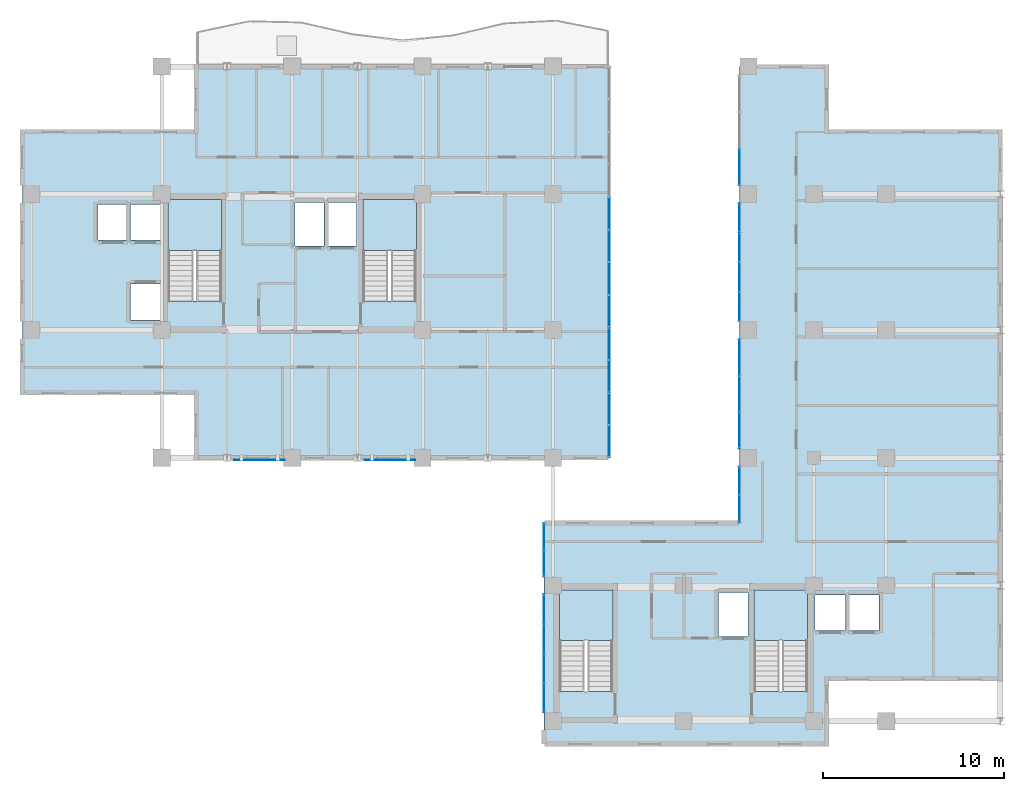
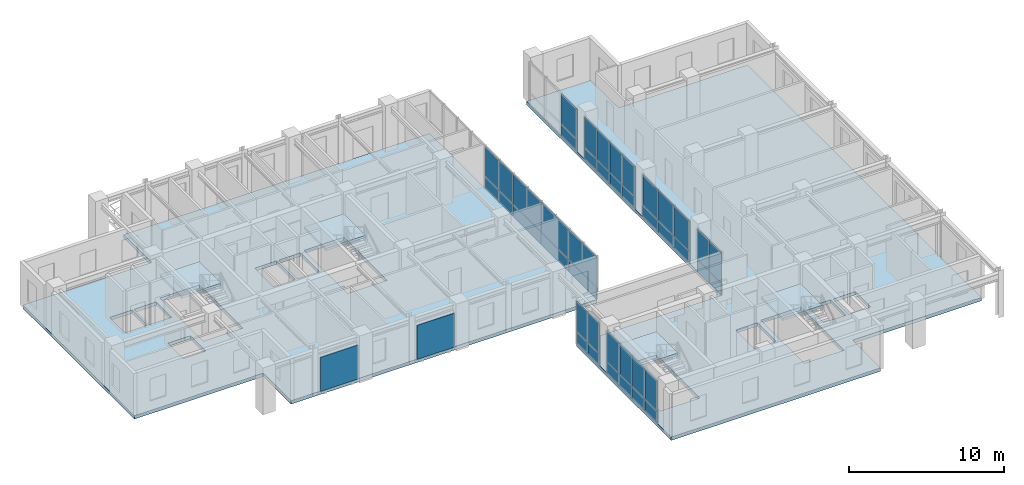
# One storey, part 15 of 24: 42 plates, 6 slabs, 11 elements without a shape of their own.
"""IFC4 building model written with IfcOpenShell, lengths in metres."""

from ifc_helpers import new_model, si_unit, direction, frame, origin, origin_2d, place, context, subcontext, project, spatial, polyline, rectangle, outline, extrude, source, transform, mapped, material, layer, layer_set, type_object, element, aggregate, save


model = new_model("IFC4")

# Units and contexts
model_context = context("Model", 3, precision=1e-05, world=origin(), true_north=direction((0.0, 1.0)))
body_context = subcontext(model_context, "Body", "Model", "MODEL_VIEW")
ifc_project = project(units=[si_unit("LENGTHUNIT", "METRE"), si_unit("AREAUNIT", "SQUARE_METRE"), si_unit("VOLUMEUNIT", "CUBIC_METRE"), si_unit("PLANEANGLEUNIT", "RADIAN"), si_unit("MASSUNIT", "GRAM", prefix="KILO")], contexts=[model_context])

# Site, building, storey
site_placement = place(None, origin())
site = spatial("IfcSite", under=ifc_project, at=site_placement, CompositionType="ELEMENT")
building_placement = place(site_placement, origin())
building = spatial("IfcBuilding", under=site, at=building_placement, Name="Kaliganga Portal Commons", CompositionType="ELEMENT")
storey_placement = place(building_placement, frame((0.0, 0.0, 242.5)))
storey = spatial("IfcBuildingStorey", under=building, at=storey_placement, Name="L62", CompositionType="ELEMENT", Elevation=242.5)

# Slabs
ifc_material_1 = material(Name="Concrete C50/60", Category="concrete")
ifc_layer_1 = layer(ifc_material_1, 0.260009765625)
ifc_layer_set_1 = layer_set([ifc_layer_1], Name="Concrete C50/60")
slab_type_1 = type_object("IfcSlabType", Name="SLB-PORTAL-260", PredefinedType="FLOOR", material=ifc_layer_set_1)
slab_1_placement = place(storey_placement, frame((0.0, 0.0, -0.260009765625)))
element("IfcSlab", 1, at=slab_1_placement, inside=storey, type_object=slab_type_1, Name="Structural Floor Slab L62:W1", PredefinedType="FLOOR", context=body_context, shape_type="SweptSolid", body=[
    extrude(outline(polyline([(16.300048828125, 21.60009765625), (39.10009765625, 21.60009765625), (39.10009765625, 43.199951171875), (16.300048828125, 43.199951171875), (16.300048828125, 39.60009765625), (6.699951171875, 39.60009765625), (6.699951171875, 25.199951171875), (16.300048828125, 25.199951171875), (16.300048828125, 21.60009765625)]), holes=[polyline([(14.75, 30.25390625), (14.75, 35.85009765625), (17.699951171875, 35.85009765625), (17.699951171875, 30.25390625), (14.75, 30.25390625)]), polyline([(25.5, 30.25390625), (25.5, 35.85009765625), (28.449951171875, 35.85009765625), (28.449951171875, 30.25390625), (25.5, 30.25390625)]), polyline([(12.6650390625, 33.614990234375), (12.6650390625, 35.5849609375), (14.3349609375, 35.5849609375), (14.3349609375, 33.614990234375), (12.6650390625, 33.614990234375)]), polyline([(12.6650390625, 29.215087890625), (12.6650390625, 31.18505859375), (14.3349609375, 31.18505859375), (14.3349609375, 29.215087890625), (12.6650390625, 29.215087890625)]), polyline([(10.864990234375, 33.614990234375), (10.864990234375, 35.5849609375), (12.534912109375, 35.5849609375), (12.534912109375, 33.614990234375), (10.864990234375, 33.614990234375)]), polyline([(21.739990234375, 33.2900390625), (21.739990234375, 35.7099609375), (23.360107421875, 35.7099609375), (23.360107421875, 33.2900390625), (21.739990234375, 33.2900390625)]), polyline([(23.5400390625, 33.2900390625), (23.5400390625, 35.7099609375), (25.159912109375, 35.7099609375), (25.159912109375, 33.2900390625), (23.5400390625, 33.2900390625)])]), origin(), (0.0, 0.0, 1.0), 0.260009765625),
])
slab_2_placement = place(storey_placement, frame((0.0, 0.0, -0.260009765625)))
element("IfcSlab", 2, at=slab_2_placement, inside=storey, type_object=slab_type_1, Name="Structural Floor Slab L62:W2", PredefinedType="FLOOR", context=body_context, shape_type="SweptSolid", body=[
    extrude(outline(polyline([(35.5, 5.800048828125), (51.10009765625, 5.800048828125), (51.10009765625, 9.39990234375), (60.699951171875, 9.39990234375), (60.699951171875, 39.60009765625), (51.10009765625, 39.60009765625), (51.10009765625, 43.199951171875), (46.300048828125, 43.199951171875), (46.300048828125, 18.0), (35.5, 18.0), (35.5, 5.800048828125)]), holes=[polyline([(36.35009765625, 8.7041015625), (36.35009765625, 14.300048828125), (39.300048828125, 14.300048828125), (39.300048828125, 8.7041015625), (36.35009765625, 8.7041015625)]), polyline([(47.10009765625, 8.7041015625), (47.10009765625, 14.300048828125), (50.050048828125, 14.300048828125), (50.050048828125, 8.7041015625), (47.10009765625, 8.7041015625)]), polyline([(50.465087890625, 12.06494140625), (50.465087890625, 14.034912109375), (52.135009765625, 14.034912109375), (52.135009765625, 12.06494140625), (50.465087890625, 12.06494140625)]), polyline([(52.31494140625, 12.06494140625), (52.31494140625, 14.034912109375), (53.985107421875, 14.034912109375), (53.985107421875, 12.06494140625), (52.31494140625, 12.06494140625)]), polyline([(45.139892578125, 11.739990234375), (45.139892578125, 14.159912109375), (46.760009765625, 14.159912109375), (46.760009765625, 11.739990234375), (45.139892578125, 11.739990234375)])]), origin(), (0.0, 0.0, 1.0), 0.260009765625),
])

# Stair, slab
ifc_material_2 = material(Name="Concrete C40/50", Category="concrete")
stair_type = type_object("IfcStairType", Name="ST-CORE-DOGLEG", PredefinedType="HALF_TURN_STAIR", material=ifc_material_2)
stair_1_placement = place(storey_placement, origin())
stair_1 = element("IfcStair", 3, at=stair_1_placement, inside=storey, type_object=stair_type, Name="L62 Protected Exit Stair ST-A1", PredefinedType="HALF_TURN_STAIR")
ifc_layer_2 = layer(ifc_material_2, 0.199951171875)
ifc_layer_set_2 = layer_set([ifc_layer_2], Name="Concrete C40/50")
slab_type_2 = type_object("IfcSlabType", Name="SLB-STAIR-LND", PredefinedType="LANDING", material=ifc_layer_set_2)
slab_3_placement = place(storey_placement, frame((0.0, 0.0, 1.64990234375)))
slab_3 = element("IfcSlab", 4, at=slab_3_placement, type_object=slab_type_2, Name="ST-A1 landing 1", PredefinedType="LANDING", context=body_context, shape_type="SweptSolid", body=[
    extrude(outline(polyline([(17.699951171875, 33.050048828125), (17.699951171875, 35.85009765625), (14.75, 35.85009765625), (14.75, 33.050048828125), (17.699951171875, 33.050048828125)])), origin(), (0.0, 0.0, 1.0), 0.2001953125),
])
aggregate(stair_1, [slab_3])

stair_2_placement = place(storey_placement, origin())
stair_2 = element("IfcStair", 5, at=stair_2_placement, inside=storey, type_object=stair_type, Name="L62 Protected Exit Stair ST-A2", PredefinedType="HALF_TURN_STAIR")
slab_4_placement = place(storey_placement, frame((0.0, 0.0, 1.64990234375)))
slab_4 = element("IfcSlab", 6, at=slab_4_placement, type_object=slab_type_2, Name="ST-A2 landing 1", PredefinedType="LANDING", context=body_context, shape_type="SweptSolid", body=[
    extrude(outline(polyline([(28.449951171875, 33.050048828125), (28.449951171875, 35.85009765625), (25.5, 35.85009765625), (25.5, 33.050048828125), (28.449951171875, 33.050048828125)])), origin(), (0.0, 0.0, 1.0), 0.2001953125),
])
aggregate(stair_2, [slab_4])

stair_3_placement = place(storey_placement, origin())
stair_3 = element("IfcStair", 7, at=stair_3_placement, inside=storey, type_object=stair_type, Name="L62 Protected Exit Stair ST-B1", PredefinedType="HALF_TURN_STAIR")
slab_5_placement = place(storey_placement, frame((0.0, 0.0, 1.64990234375)))
slab_5 = element("IfcSlab", 8, at=slab_5_placement, type_object=slab_type_2, Name="ST-B1 landing 1", PredefinedType="LANDING", context=body_context, shape_type="SweptSolid", body=[
    extrude(outline(polyline([(39.300048828125, 11.5), (39.300048828125, 14.300048828125), (36.35009765625, 14.300048828125), (36.35009765625, 11.5), (39.300048828125, 11.5)])), origin(), (0.0, 0.0, 1.0), 0.2001953125),
])
aggregate(stair_3, [slab_5])

stair_4_placement = place(storey_placement, origin())
stair_4 = element("IfcStair", 9, at=stair_4_placement, inside=storey, type_object=stair_type, Name="L62 Protected Exit Stair ST-B2", PredefinedType="HALF_TURN_STAIR")
slab_6_placement = place(storey_placement, frame((0.0, 0.0, 1.64990234375)))
slab_6 = element("IfcSlab", 10, at=slab_6_placement, type_object=slab_type_2, Name="ST-B2 landing 1", PredefinedType="LANDING", context=body_context, shape_type="SweptSolid", body=[
    extrude(outline(polyline([(50.050048828125, 11.5), (50.050048828125, 14.300048828125), (47.10009765625, 14.300048828125), (47.10009765625, 11.5), (50.050048828125, 11.5)])), origin(), (0.0, 0.0, 1.0), 0.2001953125),
])
aggregate(stair_4, [slab_6])

# Plates
ifc_material_3 = material(Name="Perforated Terracotta Monsoon Baguette Screen", Category="masonry")
ifc_layer_3 = layer(ifc_material_3, 0.034912109375)
ifc_layer_set_3 = layer_set([ifc_layer_3], Name="Perforated Terracotta Monsoon Baguette Screen")
plate_type_1 = type_object("IfcPlateType", Name="PLT-CER-35", PredefinedType="USERDEFINED", material=ifc_layer_set_3)
shared_shape_1 = source(origin(), body_context, "Body", "SweptSolid", [
    extrude(rectangle(XDim=2.800048828125, YDim=0.034912109375, at=origin_2d()), origin(), (0.0, 0.0, 1.0), 2.68994140625),
])
for number, where, z_axis, x_axis, name in (
    (11, (19.800048828125, 21.47998046875, 0.080078125), (0.0, 0.0, 1.0), (1.0, 0.0, 0.0), "Perforated Solar Screen L62-S1"),
    (12, (27.0, 21.47998046875, 0.080078125), (0.0, 0.0, 1.0), (1.0, 0.0, 0.0), "Perforated Solar Screen L62-S2"),
):
    element("IfcPlate", number, at=place(storey_placement, frame(where, z_axis=z_axis, x_axis=x_axis)), inside=storey, type_object=plate_type_1, Name=name, ObjectType="SOLAR SCREEN", PredefinedType="USERDEFINED", context=body_context, shape_type="MappedRepresentation", body=[
        mapped(shared_shape_1, transform((0.0, 0.0, 0.0), x_axis=(1.0, 0.0, 0.0), y_axis=(0.0, 1.0, 0.0), z_axis=(0.0, 0.0, 1.0), scale=1.0)),
    ])

# Curtain wall, plates
ifc_material_4 = material(Name="Anodized Aluminium and Laminated Low-E Glass", Category="aluminium")
ifc_layer_4 = layer(ifc_material_4, 0.239990234375)
ifc_layer_set_4 = layer_set([ifc_layer_4], Name="Anodized Aluminium and Laminated Low-E Glass")
curtain_wall_type = type_object("IfcCurtainWallType", Name="CW-SYS-04", PredefinedType="NOTDEFINED", material=ifc_layer_set_4)
curtain_wall_1_placement = place(storey_placement, origin())
curtain_wall_1 = element("IfcCurtainWall", 13, at=curtain_wall_1_placement, inside=storey, type_object=curtain_wall_type, Name="CW 04 L62 P2E07S2", PredefinedType="NOTDEFINED")
ifc_material_5 = material(Name="Insulated Dark Spandrel Panel", Category="metal")
ifc_layer_5 = layer(ifc_material_5, 0.044921875)
ifc_layer_set_5 = layer_set([ifc_layer_5], Name="Insulated Dark Spandrel Panel")
plate_type_2 = type_object("IfcPlateType", Name="PLT-SPN-45", PredefinedType="SHEET", material=ifc_layer_set_5)
shared_shape_2 = source(origin(), body_context, "Body", "SweptSolid", [
    extrude(rectangle(XDim=1.596923828125, YDim=0.044921875, at=origin_2d()), origin(), (0.0, 0.0, 1.0), 0.929931640625),
])
plate_1_placement = place(storey_placement, frame((46.300048828125, 34.85546875, 0.01025390625), z_axis=(0.0, 0.0, 1.0), x_axis=(0.0, -1.0, 0.0)))
plate_1 = element("IfcPlate", 14, at=plate_1_placement, type_object=plate_type_2, Name="CW:04:L62:P2E07S2 Spandrel 00", PredefinedType="SHEET", context=body_context, shape_type="MappedRepresentation", body=[
    mapped(shared_shape_2, transform((0.0, 0.0, 0.0), x_axis=(1.0, 0.0, 0.0), y_axis=(0.0, 1.0, 0.0), z_axis=(0.0, 0.0, 1.0), scale=1.0)),
])
plate_2_placement = place(storey_placement, frame((46.300048828125, 33.218505859375, 0.01025390625), z_axis=(0.0, 0.0, 1.0), x_axis=(0.0, -1.0, 0.0)))
plate_2 = element("IfcPlate", 15, at=plate_2_placement, type_object=plate_type_2, Name="CW:04:L62:P2E07S2 Spandrel 01", PredefinedType="SHEET", context=body_context, shape_type="MappedRepresentation", body=[
    mapped(shared_shape_2, transform((0.0, 0.0, 0.0), x_axis=(1.0, 0.0, 0.0), y_axis=(0.0, 1.0, 0.0), z_axis=(0.0, 0.0, 1.0), scale=1.0)),
])
plate_3_placement = place(storey_placement, frame((46.300048828125, 31.58154296875, 0.01025390625), z_axis=(0.0, 0.0, 1.0), x_axis=(0.0, -1.0, 0.0)))
plate_3 = element("IfcPlate", 16, at=plate_3_placement, type_object=plate_type_2, Name="CW:04:L62:P2E07S2 Spandrel 02", PredefinedType="SHEET", context=body_context, shape_type="MappedRepresentation", body=[
    mapped(shared_shape_2, transform((0.0, 0.0, 0.0), x_axis=(1.0, 0.0, 0.0), y_axis=(0.0, 1.0, 0.0), z_axis=(0.0, 0.0, 1.0), scale=1.0)),
])
plate_4_placement = place(storey_placement, frame((46.300048828125, 29.944580078125, 0.01025390625), z_axis=(0.0, 0.0, 1.0), x_axis=(0.0, -1.0, 0.0)))
plate_4 = element("IfcPlate", 17, at=plate_4_placement, type_object=plate_type_2, Name="CW:04:L62:P2E07S2 Spandrel 03", PredefinedType="SHEET", context=body_context, shape_type="MappedRepresentation", body=[
    mapped(shared_shape_2, transform((0.0, 0.0, 0.0), x_axis=(1.0, 0.0, 0.0), y_axis=(0.0, 1.0, 0.0), z_axis=(0.0, 0.0, 1.0), scale=1.0)),
])

curtain_wall_2_placement = place(storey_placement, origin())
curtain_wall_2 = element("IfcCurtainWall", 18, at=curtain_wall_2_placement, inside=storey, type_object=curtain_wall_type, Name="CW 04 L62 P2E09S2", PredefinedType="NOTDEFINED")
plate_5_placement = place(storey_placement, frame((35.5, 13.255615234375, 0.01025390625), z_axis=(0.0, 0.0, 1.0), x_axis=(0.0, -1.0, 0.0)))
plate_5 = element("IfcPlate", 19, at=plate_5_placement, type_object=plate_type_2, Name="CW:04:L62:P2E09S2 Spandrel 00", PredefinedType="SHEET", context=body_context, shape_type="MappedRepresentation", body=[
    mapped(shared_shape_2, transform((0.0, 0.0, 0.0), x_axis=(1.0, 0.0, 0.0), y_axis=(0.0, 1.0, 0.0), z_axis=(0.0, 0.0, 1.0), scale=1.0)),
])
plate_6_placement = place(storey_placement, frame((35.5, 11.618408203125, 0.01025390625), z_axis=(0.0, 0.0, 1.0), x_axis=(0.0, -1.0, 0.0)))
plate_6 = element("IfcPlate", 20, at=plate_6_placement, type_object=plate_type_2, Name="CW:04:L62:P2E09S2 Spandrel 01", PredefinedType="SHEET", context=body_context, shape_type="MappedRepresentation", body=[
    mapped(shared_shape_2, transform((0.0, 0.0, 0.0), x_axis=(1.0, 0.0, 0.0), y_axis=(0.0, 1.0, 0.0), z_axis=(0.0, 0.0, 1.0), scale=1.0)),
])
plate_7_placement = place(storey_placement, frame((35.5, 9.9814453125, 0.01025390625), z_axis=(0.0, 0.0, 1.0), x_axis=(0.0, -1.0, 0.0)))
plate_7 = element("IfcPlate", 21, at=plate_7_placement, type_object=plate_type_2, Name="CW:04:L62:P2E09S2 Spandrel 02", PredefinedType="SHEET", context=body_context, shape_type="MappedRepresentation", body=[
    mapped(shared_shape_2, transform((0.0, 0.0, 0.0), x_axis=(1.0, 0.0, 0.0), y_axis=(0.0, 1.0, 0.0), z_axis=(0.0, 0.0, 1.0), scale=1.0)),
])
plate_8_placement = place(storey_placement, frame((35.5, 8.344482421875, 0.01025390625), z_axis=(0.0, 0.0, 1.0), x_axis=(0.0, -1.0, 0.0)))
plate_8 = element("IfcPlate", 22, at=plate_8_placement, type_object=plate_type_2, Name="CW:04:L62:P2E09S2 Spandrel 03", PredefinedType="SHEET", context=body_context, shape_type="MappedRepresentation", body=[
    mapped(shared_shape_2, transform((0.0, 0.0, 0.0), x_axis=(1.0, 0.0, 0.0), y_axis=(0.0, 1.0, 0.0), z_axis=(0.0, 0.0, 1.0), scale=1.0)),
])

curtain_wall_3_placement = place(storey_placement, origin())
curtain_wall_3 = element("IfcCurtainWall", 23, at=curtain_wall_3_placement, inside=storey, type_object=curtain_wall_type, Name="CW 04 L62 P2E09S1", PredefinedType="NOTDEFINED")
shared_shape_3 = source(origin(), body_context, "Body", "SweptSolid", [
    extrude(rectangle(XDim=1.447021484375, YDim=0.044921875, at=origin_2d()), origin(), (0.0, 0.0, 1.0), 0.929931640625),
])
plate_9_placement = place(storey_placement, frame((35.5, 17.256591796875, 0.01025390625), z_axis=(0.0, 0.0, 1.0), x_axis=(0.0, -1.0, 0.0)))
plate_9 = element("IfcPlate", 24, at=plate_9_placement, type_object=plate_type_2, Name="CW:04:L62:P2E09S1 Spandrel 00", PredefinedType="SHEET", context=body_context, shape_type="MappedRepresentation", body=[
    mapped(shared_shape_3, transform((0.0, 0.0, 0.0), x_axis=(1.0, 0.0, 0.0), y_axis=(0.0, 1.0, 0.0), z_axis=(0.0, 0.0, 1.0), scale=1.0)),
])
plate_10_placement = place(storey_placement, frame((35.5, 15.76953125, 0.01025390625), z_axis=(0.0, 0.0, 1.0), x_axis=(0.0, -1.0, 0.0)))
plate_10 = element("IfcPlate", 25, at=plate_10_placement, type_object=plate_type_2, Name="CW:04:L62:P2E09S1 Spandrel 01", PredefinedType="SHEET", context=body_context, shape_type="MappedRepresentation", body=[
    mapped(shared_shape_3, transform((0.0, 0.0, 0.0), x_axis=(1.0, 0.0, 0.0), y_axis=(0.0, 1.0, 0.0), z_axis=(0.0, 0.0, 1.0), scale=1.0)),
])
ifc_material_6 = material(Name="Dark Solar-Control Laminated Low-E IGU", Category="glass")
ifc_layer_6 = layer(ifc_material_6, 0.028076171875)
ifc_layer_set_6 = layer_set([ifc_layer_6], Name="Dark Solar-Control Laminated Low-E IGU")
plate_type_3 = type_object("IfcPlateType", Name="PLT-GLZ-28", PredefinedType="CURTAIN_PANEL", material=ifc_layer_set_6)
shared_shape_4 = source(origin(), body_context, "Body", "SweptSolid", [
    extrude(rectangle(XDim=1.447021484375, YDim=0.028076171875, at=origin_2d()), origin(), (0.0, 0.0, 1.0), 2.389892578125),
])
plate_11_placement = place(storey_placement, frame((35.5, 17.256591796875, 0.9599609375), z_axis=(0.0, 0.0, 1.0), x_axis=(0.0, -1.0, 0.0)))
plate_11 = element("IfcPlate", 26, at=plate_11_placement, type_object=plate_type_3, Name="CW:04:L62:P2E09S1 Vision IGU 00", PredefinedType="CURTAIN_PANEL", context=body_context, shape_type="MappedRepresentation", body=[
    mapped(shared_shape_4, transform((0.0, 0.0, 0.0), x_axis=(1.0, 0.0, 0.0), y_axis=(0.0, 1.0, 0.0), z_axis=(0.0, 0.0, 1.0), scale=1.0)),
])
plate_12_placement = place(storey_placement, frame((35.5, 15.76953125, 0.9599609375), z_axis=(0.0, 0.0, 1.0), x_axis=(0.0, -1.0, 0.0)))
plate_12 = element("IfcPlate", 27, at=plate_12_placement, type_object=plate_type_3, Name="CW:04:L62:P2E09S1 Vision IGU 01", PredefinedType="CURTAIN_PANEL", context=body_context, shape_type="MappedRepresentation", body=[
    mapped(shared_shape_4, transform((0.0, 0.0, 0.0), x_axis=(1.0, 0.0, 0.0), y_axis=(0.0, 1.0, 0.0), z_axis=(0.0, 0.0, 1.0), scale=1.0)),
])
aggregate(curtain_wall_3, [plate_9, plate_11, plate_10, plate_12])

# Plate
shared_shape_5 = source(origin(), body_context, "Body", "SweptSolid", [
    extrude(rectangle(XDim=1.596923828125, YDim=0.028076171875, at=origin_2d()), origin(), (0.0, 0.0, 1.0), 2.389892578125),
])
plate_13_placement = place(storey_placement, frame((46.300048828125, 34.85546875, 0.9599609375), z_axis=(0.0, 0.0, 1.0), x_axis=(0.0, -1.0, 0.0)))
plate_13 = element("IfcPlate", 28, at=plate_13_placement, type_object=plate_type_3, Name="CW:04:L62:P2E07S2 Vision IGU 00", PredefinedType="CURTAIN_PANEL", context=body_context, shape_type="MappedRepresentation", body=[
    mapped(shared_shape_5, transform((0.0, 0.0, 0.0), x_axis=(1.0, 0.0, 0.0), y_axis=(0.0, 1.0, 0.0), z_axis=(0.0, 0.0, 1.0), scale=1.0)),
])

plate_14_placement = place(storey_placement, frame((46.300048828125, 33.218505859375, 0.9599609375), z_axis=(0.0, 0.0, 1.0), x_axis=(0.0, -1.0, 0.0)))
plate_14 = element("IfcPlate", 29, at=plate_14_placement, type_object=plate_type_3, Name="CW:04:L62:P2E07S2 Vision IGU 01", PredefinedType="CURTAIN_PANEL", context=body_context, shape_type="MappedRepresentation", body=[
    mapped(shared_shape_5, transform((0.0, 0.0, 0.0), x_axis=(1.0, 0.0, 0.0), y_axis=(0.0, 1.0, 0.0), z_axis=(0.0, 0.0, 1.0), scale=1.0)),
])

plate_15_placement = place(storey_placement, frame((46.300048828125, 31.58154296875, 0.9599609375), z_axis=(0.0, 0.0, 1.0), x_axis=(0.0, -1.0, 0.0)))
plate_15 = element("IfcPlate", 30, at=plate_15_placement, type_object=plate_type_3, Name="CW:04:L62:P2E07S2 Vision IGU 02", PredefinedType="CURTAIN_PANEL", context=body_context, shape_type="MappedRepresentation", body=[
    mapped(shared_shape_5, transform((0.0, 0.0, 0.0), x_axis=(1.0, 0.0, 0.0), y_axis=(0.0, 1.0, 0.0), z_axis=(0.0, 0.0, 1.0), scale=1.0)),
])

plate_16_placement = place(storey_placement, frame((46.300048828125, 29.944580078125, 0.9599609375), z_axis=(0.0, 0.0, 1.0), x_axis=(0.0, -1.0, 0.0)))
plate_16 = element("IfcPlate", 31, at=plate_16_placement, type_object=plate_type_3, Name="CW:04:L62:P2E07S2 Vision IGU 03", PredefinedType="CURTAIN_PANEL", context=body_context, shape_type="MappedRepresentation", body=[
    mapped(shared_shape_5, transform((0.0, 0.0, 0.0), x_axis=(1.0, 0.0, 0.0), y_axis=(0.0, 1.0, 0.0), z_axis=(0.0, 0.0, 1.0), scale=1.0)),
])

aggregate(curtain_wall_1, [plate_1, plate_13, plate_2, plate_14, plate_3, plate_15, plate_4, plate_16])

plate_17_placement = place(storey_placement, frame((35.5, 13.255615234375, 0.9599609375), z_axis=(0.0, 0.0, 1.0), x_axis=(0.0, -1.0, 0.0)))
plate_17 = element("IfcPlate", 32, at=plate_17_placement, type_object=plate_type_3, Name="CW:04:L62:P2E09S2 Vision IGU 00", PredefinedType="CURTAIN_PANEL", context=body_context, shape_type="MappedRepresentation", body=[
    mapped(shared_shape_5, transform((0.0, 0.0, 0.0), x_axis=(1.0, 0.0, 0.0), y_axis=(0.0, 1.0, 0.0), z_axis=(0.0, 0.0, 1.0), scale=1.0)),
])

plate_18_placement = place(storey_placement, frame((35.5, 11.618408203125, 0.9599609375), z_axis=(0.0, 0.0, 1.0), x_axis=(0.0, -1.0, 0.0)))
plate_18 = element("IfcPlate", 33, at=plate_18_placement, type_object=plate_type_3, Name="CW:04:L62:P2E09S2 Vision IGU 01", PredefinedType="CURTAIN_PANEL", context=body_context, shape_type="MappedRepresentation", body=[
    mapped(shared_shape_5, transform((0.0, 0.0, 0.0), x_axis=(1.0, 0.0, 0.0), y_axis=(0.0, 1.0, 0.0), z_axis=(0.0, 0.0, 1.0), scale=1.0)),
])

plate_19_placement = place(storey_placement, frame((35.5, 9.9814453125, 0.9599609375), z_axis=(0.0, 0.0, 1.0), x_axis=(0.0, -1.0, 0.0)))
plate_19 = element("IfcPlate", 34, at=plate_19_placement, type_object=plate_type_3, Name="CW:04:L62:P2E09S2 Vision IGU 02", PredefinedType="CURTAIN_PANEL", context=body_context, shape_type="MappedRepresentation", body=[
    mapped(shared_shape_5, transform((0.0, 0.0, 0.0), x_axis=(1.0, 0.0, 0.0), y_axis=(0.0, 1.0, 0.0), z_axis=(0.0, 0.0, 1.0), scale=1.0)),
])

plate_20_placement = place(storey_placement, frame((35.5, 8.344482421875, 0.9599609375), z_axis=(0.0, 0.0, 1.0), x_axis=(0.0, -1.0, 0.0)))
plate_20 = element("IfcPlate", 35, at=plate_20_placement, type_object=plate_type_3, Name="CW:04:L62:P2E09S2 Vision IGU 03", PredefinedType="CURTAIN_PANEL", context=body_context, shape_type="MappedRepresentation", body=[
    mapped(shared_shape_5, transform((0.0, 0.0, 0.0), x_axis=(1.0, 0.0, 0.0), y_axis=(0.0, 1.0, 0.0), z_axis=(0.0, 0.0, 1.0), scale=1.0)),
])

aggregate(curtain_wall_2, [plate_5, plate_17, plate_6, plate_18, plate_7, plate_19, plate_8, plate_20])

# Curtain wall, plates
curtain_wall_4_placement = place(storey_placement, origin())
curtain_wall_4 = element("IfcCurtainWall", 36, at=curtain_wall_4_placement, inside=storey, type_object=curtain_wall_type, Name="CW 04 L62 P1E01S1", PredefinedType="NOTDEFINED")
shared_shape_6 = source(origin(), body_context, "Body", "SweptSolid", [
    extrude(rectangle(XDim=3.56005859375, YDim=0.044921875, at=origin_2d()), origin(), (0.0, 0.0, 1.0), 0.929931640625),
])
plate_21_placement = place(storey_placement, frame((39.10009765625, 23.39990234375, 0.01025390625), z_axis=(0.0, 0.0, 1.0), x_axis=(0.0, 1.0, 0.0)))
plate_21 = element("IfcPlate", 37, at=plate_21_placement, type_object=plate_type_2, Name="CW:04:L62:P1E01S1 Spandrel 00", PredefinedType="SHEET", context=body_context, shape_type="MappedRepresentation", body=[
    mapped(shared_shape_6, transform((0.0, 0.0, 0.0), x_axis=(1.0, 0.0, 0.0), y_axis=(0.0, 1.0, 0.0), z_axis=(0.0, 0.0, 1.0), scale=1.0)),
])
plate_22_placement = place(storey_placement, frame((39.10009765625, 27.0, 0.01025390625), z_axis=(0.0, 0.0, 1.0), x_axis=(0.0, 1.0, 0.0)))
plate_22 = element("IfcPlate", 38, at=plate_22_placement, type_object=plate_type_2, Name="CW:04:L62:P1E01S1 Spandrel 02", PredefinedType="SHEET", context=body_context, shape_type="MappedRepresentation", body=[
    mapped(shared_shape_6, transform((0.0, 0.0, 0.0), x_axis=(1.0, 0.0, 0.0), y_axis=(0.0, 1.0, 0.0), z_axis=(0.0, 0.0, 1.0), scale=1.0)),
])
plate_23_placement = place(storey_placement, frame((39.10009765625, 30.60009765625, 0.01025390625), z_axis=(0.0, 0.0, 1.0), x_axis=(0.0, 1.0, 0.0)))
plate_23 = element("IfcPlate", 39, at=plate_23_placement, type_object=plate_type_2, Name="CW:04:L62:P1E01S1 Spandrel 04", PredefinedType="SHEET", context=body_context, shape_type="MappedRepresentation", body=[
    mapped(shared_shape_6, transform((0.0, 0.0, 0.0), x_axis=(1.0, 0.0, 0.0), y_axis=(0.0, 1.0, 0.0), z_axis=(0.0, 0.0, 1.0), scale=1.0)),
])
plate_24_placement = place(storey_placement, frame((39.10009765625, 34.199951171875, 0.01025390625), z_axis=(0.0, 0.0, 1.0), x_axis=(0.0, 1.0, 0.0)))
plate_24 = element("IfcPlate", 40, at=plate_24_placement, type_object=plate_type_2, Name="CW:04:L62:P1E01S1 Spandrel 06", PredefinedType="SHEET", context=body_context, shape_type="MappedRepresentation", body=[
    mapped(shared_shape_6, transform((0.0, 0.0, 0.0), x_axis=(1.0, 0.0, 0.0), y_axis=(0.0, 1.0, 0.0), z_axis=(0.0, 0.0, 1.0), scale=1.0)),
])
shared_shape_7 = source(origin(), body_context, "Body", "SweptSolid", [
    extrude(rectangle(XDim=3.56005859375, YDim=0.028076171875, at=origin_2d()), origin(), (0.0, 0.0, 1.0), 2.389892578125),
])
plate_25_placement = place(storey_placement, frame((39.10009765625, 23.39990234375, 0.9599609375), z_axis=(0.0, 0.0, 1.0), x_axis=(0.0, 1.0, 0.0)))
plate_25 = element("IfcPlate", 41, at=plate_25_placement, type_object=plate_type_3, Name="CW:04:L62:P1E01S1 Vision IGU 00", PredefinedType="CURTAIN_PANEL", context=body_context, shape_type="MappedRepresentation", body=[
    mapped(shared_shape_7, transform((0.0, 0.0, 0.0), x_axis=(1.0, 0.0, 0.0), y_axis=(0.0, 1.0, 0.0), z_axis=(0.0, 0.0, 1.0), scale=1.0)),
])
plate_26_placement = place(storey_placement, frame((39.10009765625, 27.0, 0.9599609375), z_axis=(0.0, 0.0, 1.0), x_axis=(0.0, 1.0, 0.0)))
plate_26 = element("IfcPlate", 42, at=plate_26_placement, type_object=plate_type_3, Name="CW:04:L62:P1E01S1 Vision IGU 02", PredefinedType="CURTAIN_PANEL", context=body_context, shape_type="MappedRepresentation", body=[
    mapped(shared_shape_7, transform((0.0, 0.0, 0.0), x_axis=(1.0, 0.0, 0.0), y_axis=(0.0, 1.0, 0.0), z_axis=(0.0, 0.0, 1.0), scale=1.0)),
])
plate_27_placement = place(storey_placement, frame((39.10009765625, 30.60009765625, 0.9599609375), z_axis=(0.0, 0.0, 1.0), x_axis=(0.0, 1.0, 0.0)))
plate_27 = element("IfcPlate", 43, at=plate_27_placement, type_object=plate_type_3, Name="CW:04:L62:P1E01S1 Vision IGU 04", PredefinedType="CURTAIN_PANEL", context=body_context, shape_type="MappedRepresentation", body=[
    mapped(shared_shape_7, transform((0.0, 0.0, 0.0), x_axis=(1.0, 0.0, 0.0), y_axis=(0.0, 1.0, 0.0), z_axis=(0.0, 0.0, 1.0), scale=1.0)),
])
plate_28_placement = place(storey_placement, frame((39.10009765625, 34.199951171875, 0.9599609375), z_axis=(0.0, 0.0, 1.0), x_axis=(0.0, 1.0, 0.0)))
plate_28 = element("IfcPlate", 44, at=plate_28_placement, type_object=plate_type_3, Name="CW:04:L62:P1E01S1 Vision IGU 06", PredefinedType="CURTAIN_PANEL", context=body_context, shape_type="MappedRepresentation", body=[
    mapped(shared_shape_7, transform((0.0, 0.0, 0.0), x_axis=(1.0, 0.0, 0.0), y_axis=(0.0, 1.0, 0.0), z_axis=(0.0, 0.0, 1.0), scale=1.0)),
])
aggregate(curtain_wall_4, [plate_21, plate_25, plate_22, plate_26, plate_23, plate_27, plate_24, plate_28])

# Curtain wall, plate
curtain_wall_5_placement = place(storey_placement, origin())
curtain_wall_5 = element("IfcCurtainWall", 45, at=curtain_wall_5_placement, inside=storey, type_object=curtain_wall_type, Name="CW 04 L62 P2E07S1", PredefinedType="NOTDEFINED")
shared_shape_8 = source(origin(), body_context, "Body", "SweptSolid", [
    extrude(rectangle(XDim=1.99267578125, YDim=0.044921875, at=origin_2d()), origin(), (0.0, 0.0, 1.0), 0.929931640625),
])
plate_29_placement = place(storey_placement, frame((46.300048828125, 37.642333984375, 0.01025390625), z_axis=(0.0, 0.0, 1.0), x_axis=(0.0, -1.0, 0.0)))
plate_29 = element("IfcPlate", 46, at=plate_29_placement, type_object=plate_type_2, Name="CW:04:L62:P2E07S1 Spandrel 02", PredefinedType="SHEET", context=body_context, shape_type="MappedRepresentation", body=[
    mapped(shared_shape_8, transform((0.0, 0.0, 0.0), x_axis=(1.0, 0.0, 0.0), y_axis=(0.0, 1.0, 0.0), z_axis=(0.0, 0.0, 1.0), scale=1.0)),
])

# Curtain wall, plates
curtain_wall_6_placement = place(storey_placement, origin())
curtain_wall_6 = element("IfcCurtainWall", 47, at=curtain_wall_6_placement, inside=storey, type_object=curtain_wall_type, Name="CW 04 L62 P2E07S3", PredefinedType="NOTDEFINED")
plate_30_placement = place(storey_placement, frame((46.300048828125, 27.15771484375, 0.01025390625), z_axis=(0.0, 0.0, 1.0), x_axis=(0.0, -1.0, 0.0)))
plate_30 = element("IfcPlate", 48, at=plate_30_placement, type_object=plate_type_2, Name="CW:04:L62:P2E07S3 Spandrel 00", PredefinedType="SHEET", context=body_context, shape_type="MappedRepresentation", body=[
    mapped(shared_shape_8, transform((0.0, 0.0, 0.0), x_axis=(1.0, 0.0, 0.0), y_axis=(0.0, 1.0, 0.0), z_axis=(0.0, 0.0, 1.0), scale=1.0)),
])
plate_31_placement = place(storey_placement, frame((46.300048828125, 25.125, 0.01025390625), z_axis=(0.0, 0.0, 1.0), x_axis=(0.0, -1.0, 0.0)))
plate_31 = element("IfcPlate", 49, at=plate_31_placement, type_object=plate_type_2, Name="CW:04:L62:P2E07S3 Spandrel 01", PredefinedType="SHEET", context=body_context, shape_type="MappedRepresentation", body=[
    mapped(shared_shape_8, transform((0.0, 0.0, 0.0), x_axis=(1.0, 0.0, 0.0), y_axis=(0.0, 1.0, 0.0), z_axis=(0.0, 0.0, 1.0), scale=1.0)),
])
plate_32_placement = place(storey_placement, frame((46.300048828125, 23.09228515625, 0.01025390625), z_axis=(0.0, 0.0, 1.0), x_axis=(0.0, -1.0, 0.0)))
plate_32 = element("IfcPlate", 50, at=plate_32_placement, type_object=plate_type_2, Name="CW:04:L62:P2E07S3 Spandrel 02", PredefinedType="SHEET", context=body_context, shape_type="MappedRepresentation", body=[
    mapped(shared_shape_8, transform((0.0, 0.0, 0.0), x_axis=(1.0, 0.0, 0.0), y_axis=(0.0, 1.0, 0.0), z_axis=(0.0, 0.0, 1.0), scale=1.0)),
])

# Plate
shared_shape_9 = source(origin(), body_context, "Body", "SweptSolid", [
    extrude(rectangle(XDim=1.99267578125, YDim=0.028076171875, at=origin_2d()), origin(), (0.0, 0.0, 1.0), 2.389892578125),
])
plate_33_placement = place(storey_placement, frame((46.300048828125, 37.642333984375, 0.9599609375), z_axis=(0.0, 0.0, 1.0), x_axis=(0.0, -1.0, 0.0)))
plate_33 = element("IfcPlate", 51, at=plate_33_placement, type_object=plate_type_3, Name="CW:04:L62:P2E07S1 Vision IGU 02", PredefinedType="CURTAIN_PANEL", context=body_context, shape_type="MappedRepresentation", body=[
    mapped(shared_shape_9, transform((0.0, 0.0, 0.0), x_axis=(1.0, 0.0, 0.0), y_axis=(0.0, 1.0, 0.0), z_axis=(0.0, 0.0, 1.0), scale=1.0)),
])

aggregate(curtain_wall_5, [plate_29, plate_33])

plate_34_placement = place(storey_placement, frame((46.300048828125, 27.15771484375, 0.9599609375), z_axis=(0.0, 0.0, 1.0), x_axis=(0.0, -1.0, 0.0)))
plate_34 = element("IfcPlate", 52, at=plate_34_placement, type_object=plate_type_3, Name="CW:04:L62:P2E07S3 Vision IGU 00", PredefinedType="CURTAIN_PANEL", context=body_context, shape_type="MappedRepresentation", body=[
    mapped(shared_shape_9, transform((0.0, 0.0, 0.0), x_axis=(1.0, 0.0, 0.0), y_axis=(0.0, 1.0, 0.0), z_axis=(0.0, 0.0, 1.0), scale=1.0)),
])

plate_35_placement = place(storey_placement, frame((46.300048828125, 25.125, 0.9599609375), z_axis=(0.0, 0.0, 1.0), x_axis=(0.0, -1.0, 0.0)))
plate_35 = element("IfcPlate", 53, at=plate_35_placement, type_object=plate_type_3, Name="CW:04:L62:P2E07S3 Vision IGU 01", PredefinedType="CURTAIN_PANEL", context=body_context, shape_type="MappedRepresentation", body=[
    mapped(shared_shape_9, transform((0.0, 0.0, 0.0), x_axis=(1.0, 0.0, 0.0), y_axis=(0.0, 1.0, 0.0), z_axis=(0.0, 0.0, 1.0), scale=1.0)),
])

plate_36_placement = place(storey_placement, frame((46.300048828125, 23.09228515625, 0.9599609375), z_axis=(0.0, 0.0, 1.0), x_axis=(0.0, -1.0, 0.0)))
plate_36 = element("IfcPlate", 54, at=plate_36_placement, type_object=plate_type_3, Name="CW:04:L62:P2E07S3 Vision IGU 02", PredefinedType="CURTAIN_PANEL", context=body_context, shape_type="MappedRepresentation", body=[
    mapped(shared_shape_9, transform((0.0, 0.0, 0.0), x_axis=(1.0, 0.0, 0.0), y_axis=(0.0, 1.0, 0.0), z_axis=(0.0, 0.0, 1.0), scale=1.0)),
])

aggregate(curtain_wall_6, [plate_30, plate_34, plate_31, plate_35, plate_32, plate_36])

# Curtain wall, plates
curtain_wall_7_placement = place(storey_placement, origin())
curtain_wall_7 = element("IfcCurtainWall", 55, at=curtain_wall_7_placement, inside=storey, type_object=curtain_wall_type, Name="CW 04 L62 P2E07S4", PredefinedType="NOTDEFINED")
shared_shape_10 = source(origin(), body_context, "Body", "SweptSolid", [
    extrude(rectangle(XDim=1.52197265625, YDim=0.044921875, at=origin_2d()), origin(), (0.0, 0.0, 1.0), 0.929931640625),
])
plate_37_placement = place(storey_placement, frame((46.300048828125, 20.343017578125, 0.01025390625), z_axis=(0.0, 0.0, 1.0), x_axis=(0.0, -1.0, 0.0)))
plate_37 = element("IfcPlate", 56, at=plate_37_placement, type_object=plate_type_2, Name="CW:04:L62:P2E07S4 Spandrel 00", PredefinedType="SHEET", context=body_context, shape_type="MappedRepresentation", body=[
    mapped(shared_shape_10, transform((0.0, 0.0, 0.0), x_axis=(1.0, 0.0, 0.0), y_axis=(0.0, 1.0, 0.0), z_axis=(0.0, 0.0, 1.0), scale=1.0)),
])
plate_38_placement = place(storey_placement, frame((46.300048828125, 18.781005859375, 0.01025390625), z_axis=(0.0, 0.0, 1.0), x_axis=(0.0, -1.0, 0.0)))
plate_38 = element("IfcPlate", 57, at=plate_38_placement, type_object=plate_type_2, Name="CW:04:L62:P2E07S4 Spandrel 01", PredefinedType="SHEET", context=body_context, shape_type="MappedRepresentation", body=[
    mapped(shared_shape_10, transform((0.0, 0.0, 0.0), x_axis=(1.0, 0.0, 0.0), y_axis=(0.0, 1.0, 0.0), z_axis=(0.0, 0.0, 1.0), scale=1.0)),
])
shared_shape_11 = source(origin(), body_context, "Body", "SweptSolid", [
    extrude(rectangle(XDim=1.52197265625, YDim=0.028076171875, at=origin_2d()), origin(), (0.0, 0.0, 1.0), 2.389892578125),
])
plate_39_placement = place(storey_placement, frame((46.300048828125, 20.343017578125, 0.9599609375), z_axis=(0.0, 0.0, 1.0), x_axis=(0.0, -1.0, 0.0)))
plate_39 = element("IfcPlate", 58, at=plate_39_placement, type_object=plate_type_3, Name="CW:04:L62:P2E07S4 Vision IGU 00", PredefinedType="CURTAIN_PANEL", context=body_context, shape_type="MappedRepresentation", body=[
    mapped(shared_shape_11, transform((0.0, 0.0, 0.0), x_axis=(1.0, 0.0, 0.0), y_axis=(0.0, 1.0, 0.0), z_axis=(0.0, 0.0, 1.0), scale=1.0)),
])
plate_40_placement = place(storey_placement, frame((46.300048828125, 18.781005859375, 0.9599609375), z_axis=(0.0, 0.0, 1.0), x_axis=(0.0, -1.0, 0.0)))
plate_40 = element("IfcPlate", 59, at=plate_40_placement, type_object=plate_type_3, Name="CW:04:L62:P2E07S4 Vision IGU 01", PredefinedType="CURTAIN_PANEL", context=body_context, shape_type="MappedRepresentation", body=[
    mapped(shared_shape_11, transform((0.0, 0.0, 0.0), x_axis=(1.0, 0.0, 0.0), y_axis=(0.0, 1.0, 0.0), z_axis=(0.0, 0.0, 1.0), scale=1.0)),
])
aggregate(curtain_wall_7, [plate_37, plate_39, plate_38, plate_40])

save(model, "model.ifc")
